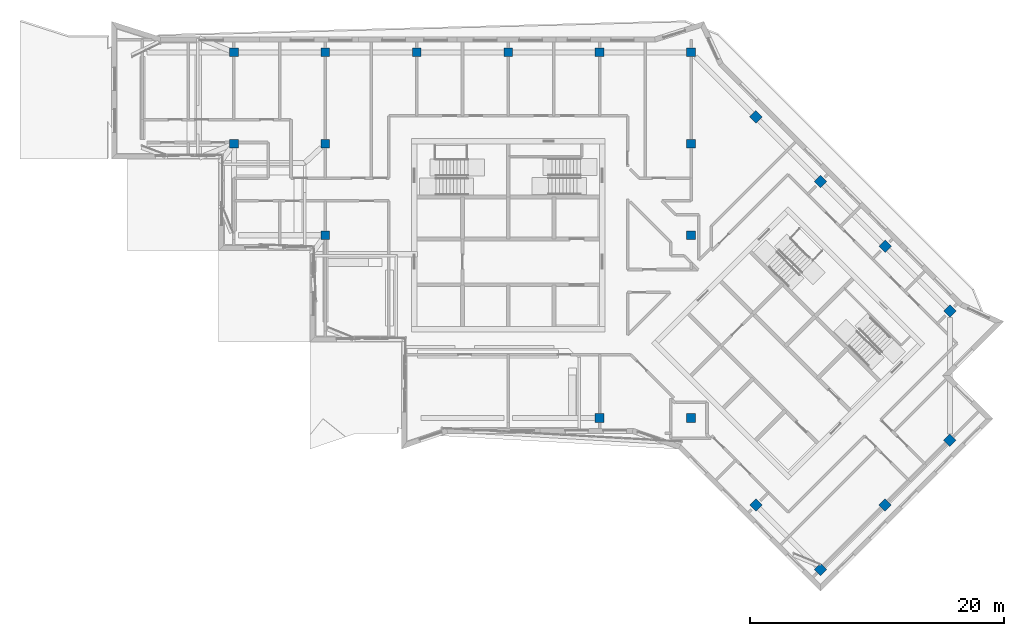
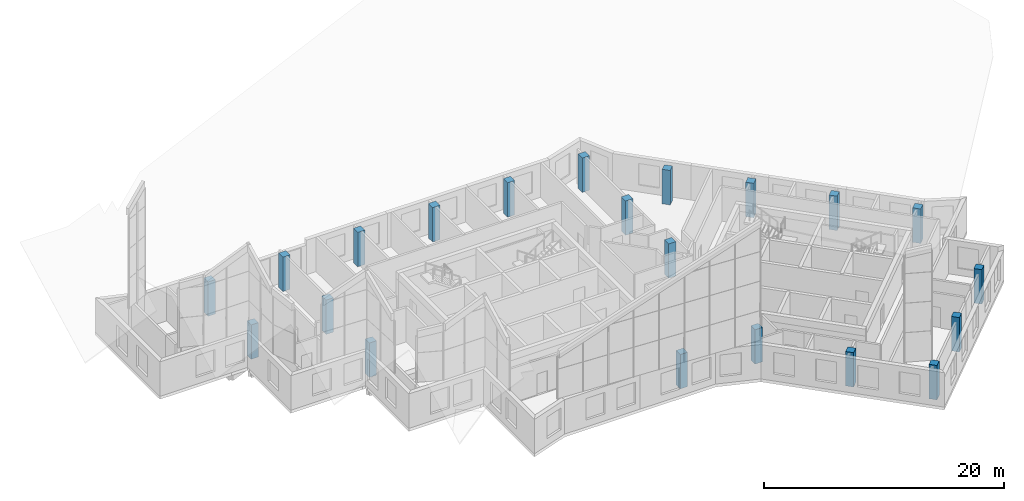
# One storey, part 1 of 20: 21 columns.
"""IFC4 building model written with IfcOpenShell, lengths in metres."""

from ifc_helpers import new_model, si_unit, direction, frame, origin, origin_2d, place, context, subcontext, project, spatial, rectangle, extrude, material, material_profile, profile_set, type_object, element, save


model = new_model("IFC4")

# Units and contexts
model_context = context("Model", 3, precision=1e-05, world=origin(), true_north=direction((0.0, 1.0)))
body_context = subcontext(model_context, "Body", "Model", "MODEL_VIEW")
ifc_project = project(units=[si_unit("LENGTHUNIT", "METRE"), si_unit("AREAUNIT", "SQUARE_METRE"), si_unit("VOLUMEUNIT", "CUBIC_METRE"), si_unit("PLANEANGLEUNIT", "RADIAN"), si_unit("MASSUNIT", "GRAM", prefix="KILO")], contexts=[model_context])

# Site, building, storey
site_placement = place(None, origin())
site = spatial("IfcSite", under=ifc_project, at=site_placement, CompositionType="ELEMENT")
building_placement = place(site_placement, origin())
building = spatial("IfcBuilding", under=site, at=building_placement, Name="Windrow Commons", CompositionType="ELEMENT")
storey_placement = place(building_placement, frame((0.0, 0.0, 290.6)))
storey = spatial("IfcBuildingStorey", under=building, at=storey_placement, Name="L79", CompositionType="ELEMENT", Elevation=290.6)

# Columns
ifc_material = material(Name="Concrete C40/50", Category="concrete")
ifc_material_profile = material_profile(ifc_material, rectangle(XDim=0.7, YDim=0.7, at=origin_2d()))
ifc_profile_set = profile_set([ifc_material_profile], Name="Concrete C40/50")
column_type = type_object("IfcColumnType", Name="RC COLUMN 700x700 C40/50", PredefinedType="COLUMN", material=ifc_profile_set)
for number, where, z_axis, x_axis, name in (
    (1, (43.2, 64.8, 0.0), (0.0, 0.0, 1.0), (1.0, 0.0, 0.0), "C-C-07I"),
    (2, (43.2, 72.0, 0.0), (0.0, 0.0, 1.0), (1.0, 0.0, 0.0), "C-C-07J"),
    (3, (50.4, 57.6, 0.0), (0.0, 0.0, 1.0), (1.0, 0.0, 0.0), "C-C-08H"),
    (4, (50.4, 64.8, 0.0), (0.0, 0.0, 1.0), (1.0, 0.0, 0.0), "C-C-08I"),
    (5, (50.4, 72.0, 0.0), (0.0, 0.0, 1.0), (1.0, 0.0, 0.0), "C-C-08J"),
    (6, (57.6, 72.0, 0.0), (0.0, 0.0, 1.0), (1.0, 0.0, 0.0), "C-C-09J"),
    (7, (64.8, 72.0, 0.0), (0.0, 0.0, 1.0), (1.0, 0.0, 0.0), "C-C-10J"),
    (8, (72.0, 43.2, 0.0), (0.0, 0.0, 1.0), (1.0, 0.0, 0.0), "C-C-11F"),
    (9, (72.0, 72.0, 0.0), (0.0, 0.0, 1.0), (1.0, 0.0, 0.0), "C-C-11J"),
    (10, (79.2, 43.2, 0.0), (0.0, 0.0, 1.0), (1.0, 0.0, 0.0), "C-C-12F"),
    (11, (79.2, 57.6, 0.0), (0.0, 0.0, 1.0), (1.0, 0.0, 0.0), "C-C-12H"),
    (12, (79.2, 64.8, 0.0), (0.0, 0.0, 1.0), (1.0, 0.0, 0.0), "C-C-12I"),
    (13, (79.2, 72.0, 0.0), (0.0, 0.0, 1.0), (1.0, 0.0, 0.0), "C-C-12J"),
    (14, (84.2912, 66.9088, 0.0), (0.0, 0.0, 1.0), (0.7071067812, -0.7071067812, 0.0), "C-C-P2Q"),
    (15, (89.3823, 61.8177, 0.0), (0.0, 0.0, 1.0), (0.7071067812, -0.7071067812, 0.0), "C-C-P3Q"),
    (16, (94.4735, 56.7265, 0.0), (0.0, 0.0, 1.0), (0.7071067812, -0.7071067812, 0.0), "C-C-P4Q"),
    (17, (99.5647, 51.6353, 0.0), (0.0, 0.0, 1.0), (0.7071067812, -0.7071067812, 0.0), "C-C-P5Q"),
    (18, (84.2912, 36.3618, 0.0), (0.0, 0.0, 1.0), (0.7071067812, -0.7071067812, 0.0), "C-C-P5T"),
    (19, (99.5647, 41.453, 0.0), (0.0, 0.0, 1.0), (0.7071067812, -0.7071067812, 0.0), "C-C-P6R"),
    (20, (94.4735, 36.3618, 0.0), (0.0, 0.0, 1.0), (0.7071067812, -0.7071067812, 0.0), "C-C-P6S"),
    (21, (89.3823, 31.2706, 0.0), (0.0, 0.0, 1.0), (0.7071067812, -0.7071067812, 0.0), "C-C-P6T"),
):
    element("IfcColumn", number, at=place(storey_placement, frame(where, z_axis=z_axis, x_axis=x_axis)), inside=storey, type_object=column_type, Name=name, PredefinedType="COLUMN", context=body_context, shape_type="SweptSolid", body=[
        extrude(rectangle(XDim=0.7, YDim=0.7, at=origin_2d()), origin(), (0.0, 0.0, 1.0), 3.5),
    ])

save(model, "model.ifc")
